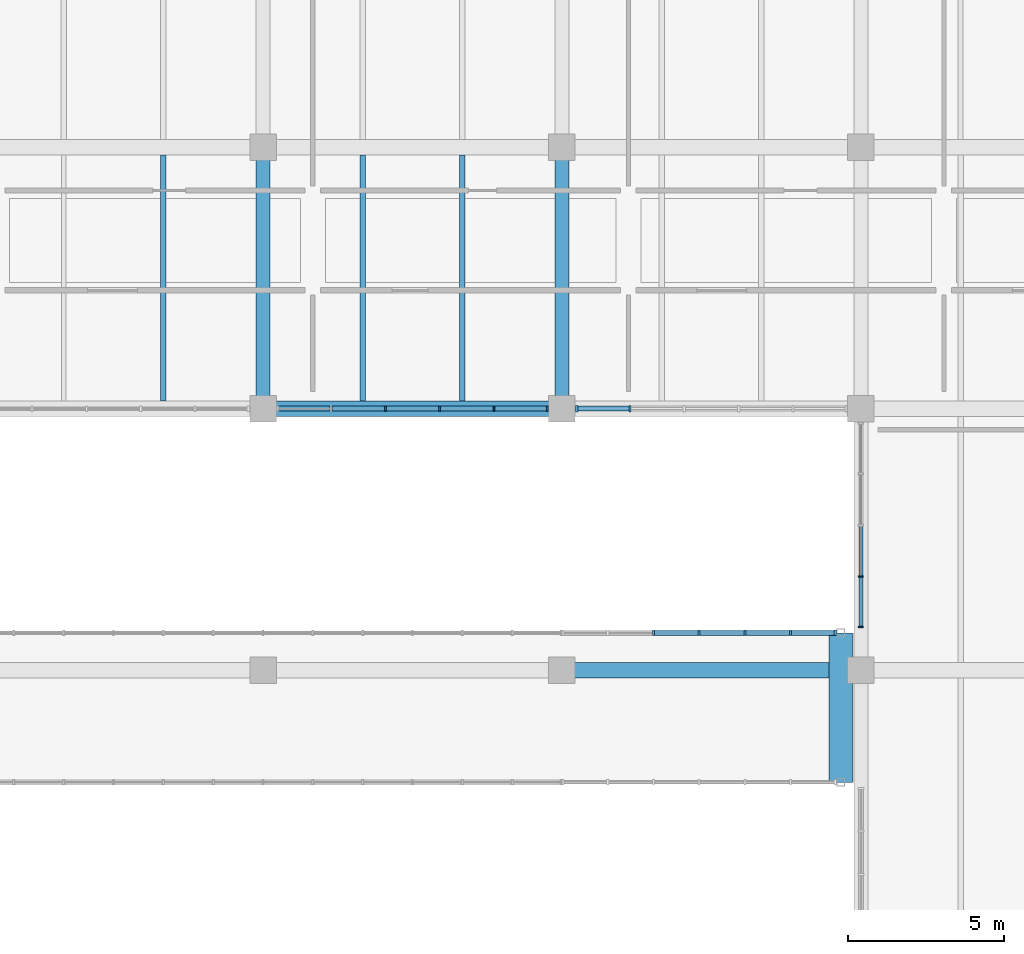
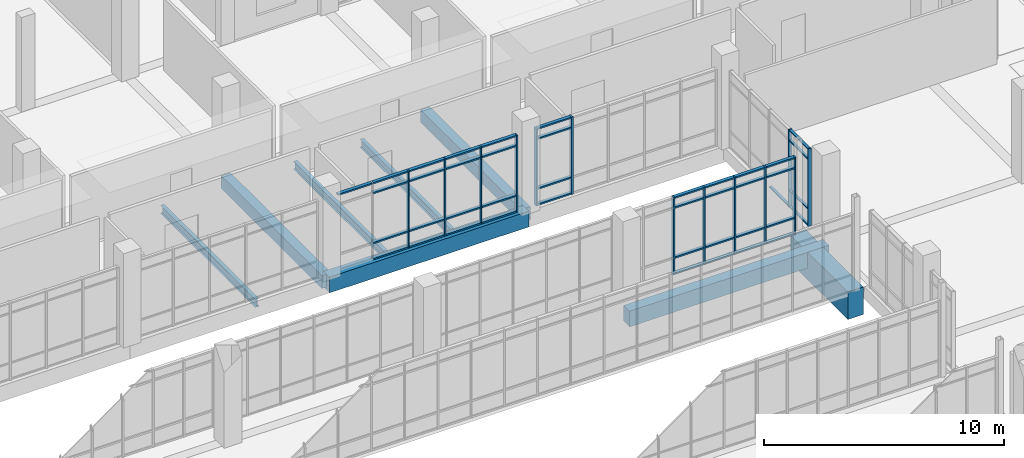
# One storey, part 60 of 152: 55 members, 8 beams, 4 elements without a shape of their own.
"""IFC4 building model written with IfcOpenShell, lengths in metres."""

from ifc_helpers import new_model, si_unit, direction, frame, origin, origin_2d, place, context, subcontext, project, spatial, rectangle, i_section, extrude, material, material_profile, profile_set, type_object, element, aggregate, save


model = new_model("IFC4")

# Units and contexts
model_context = context("Model", 3, precision=1e-05, world=origin(), true_north=direction((0.0, 1.0)))
body_context = subcontext(model_context, "Body", "Model", "MODEL_VIEW")
ifc_project = project(units=[si_unit("LENGTHUNIT", "METRE"), si_unit("AREAUNIT", "SQUARE_METRE"), si_unit("VOLUMEUNIT", "CUBIC_METRE"), si_unit("PLANEANGLEUNIT", "RADIAN"), si_unit("MASSUNIT", "GRAM", prefix="KILO")], contexts=[model_context])

# Site, building, storey
site_placement = place(None, origin())
site = spatial("IfcSite", under=ifc_project, at=site_placement, CompositionType="ELEMENT")
building_placement = place(site_placement, origin())
building = spatial("IfcBuilding", under=site, at=building_placement, Name="Oolite Switchyard Hospital", CompositionType="ELEMENT")
storey_placement = place(building_placement, frame((0.0, 0.0, 5.10009765625)))
storey = spatial("IfcBuildingStorey", under=building, at=storey_placement, Name="L01", CompositionType="ELEMENT", Elevation=5.10009765625)

# Beams
ifc_material_1 = material(Name="Concrete C40/50", Category="concrete")
ifc_material_profile_1 = material_profile(ifc_material_1, rectangle(XDim=0.449951171875, YDim=0.64990234375, at=origin_2d()), Name="RCB450X650")
ifc_profile_set_1 = profile_set([ifc_material_profile_1], Name="Concrete C40/50")
beam_type_1 = type_object("IfcBeamType", Name="BM-RC450X650", PredefinedType="BEAM", material=ifc_profile_set_1)
for number, where, z_axis, x_axis, name in (
    (1, (163.199951171875, 58.800048828125, -0.3251953125), (0.0, 1.0, 0.0), (-1.0, 0.0, 0.0), "L01 Y-Girder 490"),
    (2, (172.800048828125, 58.800048828125, -0.3251953125), (0.0, 1.0, 0.0), (-1.0, 0.0, 0.0), "L01 Y-Girder 501"),
):
    element("IfcBeam", number, at=place(storey_placement, frame(where, z_axis=z_axis, x_axis=x_axis)), inside=storey, type_object=beam_type_1, Name=name, PredefinedType="BEAM", context=body_context, shape_type="SweptSolid", body=[
        extrude(rectangle(XDim=0.449951171875, YDim=0.64990234375, at=origin_2d()), origin(), (0.0, 0.0, 1.0), 8.39990234375),
    ])
ifc_material_profile_2 = material_profile(ifc_material_1, rectangle(XDim=0.5, YDim=0.800048828125, at=origin_2d()), Name="RCB500X800")
ifc_profile_set_2 = profile_set([ifc_material_profile_2], Name="Concrete C40/50")
beam_type_2 = type_object("IfcBeamType", Name="BM-RC500X800", PredefinedType="BEAM", material=ifc_profile_set_2)
beam_1_placement = place(storey_placement, frame((172.800048828125, 50.39990234375, -0.400146484375), z_axis=(1.0, 0.0, 0.0), x_axis=(0.0, 1.0, 0.0)))
element("IfcBeam", 3, at=beam_1_placement, inside=storey, type_object=beam_type_2, Name="L01 X-Girder 108", PredefinedType="BEAM", context=body_context, shape_type="SweptSolid", body=[
    extrude(rectangle(XDim=0.5, YDim=0.800048828125, at=origin_2d()), origin(), (0.0, 0.0, 1.0), 9.599853515625),
])
beam_2_placement = place(storey_placement, frame((163.199951171875, 58.800048828125, -0.400146484375), z_axis=(1.0, 0.0, 0.0), x_axis=(0.0, 1.0, 0.0)))
element("IfcBeam", 4, at=beam_2_placement, inside=storey, type_object=beam_type_2, Name="L01 X-Girder 123", PredefinedType="BEAM", context=body_context, shape_type="SweptSolid", body=[
    extrude(rectangle(XDim=0.5, YDim=0.800048828125, at=origin_2d()), origin(), (0.0, 0.0, 1.0), 9.60009765625),
])
ifc_material_profile_3 = material_profile(ifc_material_1, rectangle(XDim=0.75, YDim=1.39990234375, at=origin_2d()), Name="RCT750X1400")
ifc_profile_set_3 = profile_set([ifc_material_profile_3], Name="Concrete C40/50")
beam_type_3 = type_object("IfcBeamType", Name="BM-TR750X1400", PredefinedType="BEAM", material=ifc_profile_set_3)
beam_3_placement = place(storey_placement, frame((181.75, 46.800048828125, -0.7001953125), z_axis=(0.0, 1.0, 0.0), x_axis=(-1.0, 0.0, 0.0)))
element("IfcBeam", 5, at=beam_3_placement, inside=storey, type_object=beam_type_3, Name="L01 Y-Girder 510", PredefinedType="BEAM", context=body_context, shape_type="SweptSolid", body=[
    extrude(rectangle(XDim=0.75, YDim=1.39990234375, at=origin_2d()), origin(), (0.0, 0.0, 1.0), 4.800048828125),
])
ifc_material_2 = material(Name="Steel ASTM A992 Grade 50", Category="steel")
ifc_material_profile_4 = material_profile(ifc_material_2, i_section(OverallWidth=0.177978515625, OverallDepth=0.403076171875, WebThickness=0.008056640625, FlangeThickness=0.010986328125, at=origin_2d()), Name="W16X36")
ifc_profile_set_4 = profile_set([ifc_material_profile_4], Name="Steel ASTM A992 Grade 50")
beam_type_4 = type_object("IfcBeamType", Name="BM-W16X36", PredefinedType="JOIST", material=ifc_profile_set_4)
beam_4_placement = place(storey_placement, frame((169.60009765625, 59.050048828125, -0.47705078125), z_axis=(0.0, 1.0, 0.0), x_axis=(-1.0, 0.0, 0.0)))
element("IfcBeam", 6, at=beam_4_placement, inside=storey, type_object=beam_type_4, Name="L01 Secondary Steel Joist 897", PredefinedType="JOIST", context=body_context, shape_type="SweptSolid", body=[
    extrude(i_section(OverallWidth=0.177978515625, OverallDepth=0.403076171875, WebThickness=0.008056640625, FlangeThickness=0.010986328125, at=origin_2d()), origin(), (0.0, 0.0, 1.0), 7.89990234375),
])
ifc_material_profile_5 = material_profile(ifc_material_2, i_section(OverallWidth=0.179931640625, OverallDepth=0.4130859375, WebThickness=0.010009765625, FlangeThickness=0.01611328125, at=origin_2d()), Name="W16X50")
ifc_profile_set_5 = profile_set([ifc_material_profile_5], Name="Steel ASTM A992 Grade 50")
beam_type_5 = type_object("IfcBeamType", Name="BM-W16X50", PredefinedType="JOIST", material=ifc_profile_set_5)
for number, where, z_axis, x_axis, name in (
    (7, (160.0, 59.050048828125, -0.482177734375), (0.0, 1.0, 0.0), (-1.0, 0.0, 0.0), "L01 Secondary Steel Joist 877"),
    (8, (166.39990234375, 59.050048828125, -0.482177734375), (0.0, 1.0, 0.0), (-1.0, 0.0, 0.0), "L01 Secondary Steel Joist 896"),
):
    element("IfcBeam", number, at=place(storey_placement, frame(where, z_axis=z_axis, x_axis=x_axis)), inside=storey, type_object=beam_type_5, Name=name, PredefinedType="JOIST", context=body_context, shape_type="SweptSolid", body=[
        extrude(i_section(OverallWidth=0.179931640625, OverallDepth=0.4130859375, WebThickness=0.010009765625, FlangeThickness=0.01611328125, at=origin_2d()), origin(), (0.0, 0.0, 1.0), 7.89990234375),
    ])

# Curtain wall, members
ifc_material_3 = material(Name="Thermally broken aluminum frame with laminated impact glazing", Category="aluminium")
curtain_wall_type_1 = type_object("IfcCurtainWallType", Name="CW-UNIT-96X48", PredefinedType="USERDEFINED", material=ifc_material_3)
curtain_wall_1_placement = place(storey_placement, origin())
curtain_wall_1 = element("IfcCurtainWall", 9, at=curtain_wall_1_placement, inside=storey, type_object=curtain_wall_type_1, Name="L01 Unitised Curtain Wall 131", ObjectType="UNITISED", PredefinedType="USERDEFINED")
ifc_material_4 = material(Name="Aluminium 6063-T6", Category="aluminium")
ifc_material_profile_6 = material_profile(ifc_material_4, rectangle(XDim=0.159912109375, YDim=0.06005859375, at=origin_2d()), Name="CWM60X160")
ifc_profile_set_6 = profile_set([ifc_material_profile_6], Name="Aluminium 6063-T6")
member_type_1 = type_object("IfcMemberType", Name="CW-MUL-180", PredefinedType="MULLION", material=ifc_profile_set_6)
member_1_placement = place(storey_placement, frame((172.330078125, 58.800048828125, 0.0), z_axis=(0.0, 0.0, 1.0), x_axis=(0.0, -1.0, 0.0)))
member_1 = element("IfcMember", 10, at=member_1_placement, type_object=member_type_1, Name="CW-02 mullion 1", PredefinedType="MULLION", context=body_context, shape_type="SweptSolid", body=[
    extrude(rectangle(XDim=0.159912109375, YDim=0.06005859375, at=origin_2d()), origin(), (0.0, 0.0, 1.0), 3.93994140625),
])
member_2_placement = place(storey_placement, frame((170.615966796875, 58.800048828125, 0.0), z_axis=(0.0, 0.0, 1.0), x_axis=(0.0, -1.0, 0.0)))
member_2 = element("IfcMember", 11, at=member_2_placement, type_object=member_type_1, Name="CW-02 mullion 2", PredefinedType="MULLION", context=body_context, shape_type="SweptSolid", body=[
    extrude(rectangle(XDim=0.159912109375, YDim=0.06005859375, at=origin_2d()), origin(), (0.0, 0.0, 1.0), 3.93994140625),
])
member_3_placement = place(storey_placement, frame((168.8720703125, 58.800048828125, 0.0), z_axis=(0.0, 0.0, 1.0), x_axis=(0.0, -1.0, 0.0)))
member_3 = element("IfcMember", 12, at=member_3_placement, type_object=member_type_1, Name="CW-02 mullion 3", PredefinedType="MULLION", context=body_context, shape_type="SweptSolid", body=[
    extrude(rectangle(XDim=0.159912109375, YDim=0.06005859375, at=origin_2d()), origin(), (0.0, 0.0, 1.0), 3.93994140625),
])
member_4_placement = place(storey_placement, frame((167.1279296875, 58.800048828125, 0.0), z_axis=(0.0, 0.0, 1.0), x_axis=(0.0, -1.0, 0.0)))
member_4 = element("IfcMember", 13, at=member_4_placement, type_object=member_type_1, Name="CW-02 mullion 4", PredefinedType="MULLION", context=body_context, shape_type="SweptSolid", body=[
    extrude(rectangle(XDim=0.159912109375, YDim=0.06005859375, at=origin_2d()), origin(), (0.0, 0.0, 1.0), 3.93994140625),
])

curtain_wall_type_2 = type_object("IfcCurtainWallType", Name="CW-BRG-96X38", PredefinedType="USERDEFINED", material=ifc_material_3)
curtain_wall_2_placement = place(storey_placement, origin())
curtain_wall_2 = element("IfcCurtainWall", 14, at=curtain_wall_2_placement, inside=storey, type_object=curtain_wall_type_2, Name="L01 Unitised Curtain Wall 200", ObjectType="UNITISED", PredefinedType="USERDEFINED")
member_5_placement = place(storey_placement, frame((182.39990234375, 51.7900390625, 0.0), z_axis=(0.0, 0.0, 1.0), x_axis=(-1.0, 0.0, 0.0)))
member_5 = element("IfcMember", 15, at=member_5_placement, type_object=member_type_1, Name="CW-12 mullion 1", PredefinedType="MULLION", context=body_context, shape_type="SweptSolid", body=[
    extrude(rectangle(XDim=0.159912109375, YDim=0.06005859375, at=origin_2d()), origin(), (0.0, 0.0, 1.0), 3.93994140625),
])
member_6_placement = place(storey_placement, frame((182.39990234375, 53.409912109375, 0.0), z_axis=(0.0, 0.0, 1.0), x_axis=(-1.0, 0.0, 0.0)))
member_6 = element("IfcMember", 16, at=member_6_placement, type_object=member_type_1, Name="CW-12 mullion 2", PredefinedType="MULLION", context=body_context, shape_type="SweptSolid", body=[
    extrude(rectangle(XDim=0.159912109375, YDim=0.06005859375, at=origin_2d()), origin(), (0.0, 0.0, 1.0), 3.93994140625),
])

curtain_wall_3_placement = place(storey_placement, origin())
curtain_wall_3 = element("IfcCurtainWall", 17, at=curtain_wall_3_placement, inside=storey, type_object=curtain_wall_type_2, Name="L01 Unitised Curtain Wall 129", ObjectType="UNITISED", PredefinedType="USERDEFINED")
ifc_material_profile_7 = material_profile(ifc_material_4, rectangle(XDim=0.179931640625, YDim=0.070068359375, at=origin_2d()), Name="CWM70X180")
ifc_profile_set_7 = profile_set([ifc_material_profile_7], Name="Aluminium 6063-T6")
member_type_2 = type_object("IfcMemberType", Name="CW-MUL-220", PredefinedType="MULLION", material=ifc_profile_set_7)
member_7_placement = place(storey_placement, frame((175.736083984375, 51.60009765625, 0.0), z_axis=(0.0, 0.0, 1.0), x_axis=(0.0, 1.0, 0.0)))
member_7 = element("IfcMember", 18, at=member_7_placement, type_object=member_type_2, Name="CW-12 mullion 3", PredefinedType="MULLION", context=body_context, shape_type="SweptSolid", body=[
    extrude(rectangle(XDim=0.179931640625, YDim=0.070068359375, at=origin_2d()), origin(), (0.0, 0.0, 1.0), 3.93994140625),
])
member_8_placement = place(storey_placement, frame((177.2041015625, 51.60009765625, 0.0), z_axis=(0.0, 0.0, 1.0), x_axis=(0.0, 1.0, 0.0)))
member_8 = element("IfcMember", 19, at=member_8_placement, type_object=member_type_2, Name="CW-12 mullion 4", PredefinedType="MULLION", context=body_context, shape_type="SweptSolid", body=[
    extrude(rectangle(XDim=0.179931640625, YDim=0.070068359375, at=origin_2d()), origin(), (0.0, 0.0, 1.0), 3.93994140625),
])
member_9_placement = place(storey_placement, frame((178.672119140625, 51.60009765625, 0.0), z_axis=(0.0, 0.0, 1.0), x_axis=(0.0, 1.0, 0.0)))
member_9 = element("IfcMember", 20, at=member_9_placement, type_object=member_type_2, Name="CW-12 mullion 5", PredefinedType="MULLION", context=body_context, shape_type="SweptSolid", body=[
    extrude(rectangle(XDim=0.179931640625, YDim=0.070068359375, at=origin_2d()), origin(), (0.0, 0.0, 1.0), 3.93994140625),
])
member_10_placement = place(storey_placement, frame((180.139892578125, 51.60009765625, 0.0), z_axis=(0.0, 0.0, 1.0), x_axis=(0.0, 1.0, 0.0)))
member_10 = element("IfcMember", 21, at=member_10_placement, type_object=member_type_2, Name="CW-12 mullion 6", PredefinedType="MULLION", context=body_context, shape_type="SweptSolid", body=[
    extrude(rectangle(XDim=0.179931640625, YDim=0.070068359375, at=origin_2d()), origin(), (0.0, 0.0, 1.0), 3.93994140625),
])
member_11_placement = place(storey_placement, frame((181.572998046875, 51.60009765625, 0.0), z_axis=(0.0, 0.0, 1.0), x_axis=(0.0, 1.0, 0.0)))
member_11 = element("IfcMember", 22, at=member_11_placement, type_object=member_type_2, Name="CW-12 mullion 7", PredefinedType="MULLION", context=body_context, shape_type="SweptSolid", body=[
    extrude(rectangle(XDim=0.179931640625, YDim=0.070068359375, at=origin_2d()), origin(), (0.0, 0.0, 1.0), 3.93994140625),
])

curtain_wall_4_placement = place(storey_placement, origin())
curtain_wall_4 = element("IfcCurtainWall", 23, at=curtain_wall_4_placement, inside=storey, type_object=curtain_wall_type_1, Name="L01 Unitised Curtain Wall 133", ObjectType="UNITISED", PredefinedType="USERDEFINED")
ifc_material_profile_8 = material_profile(ifc_material_4, rectangle(XDim=0.199951171875, YDim=0.074951171875, at=origin_2d()), Name="CWM75X200")
ifc_profile_set_8 = profile_set([ifc_material_profile_8], Name="Aluminium 6063-T6")
member_type_3 = type_object("IfcMemberType", Name="CW-MUL-260", PredefinedType="MULLION", material=ifc_profile_set_8)
member_12_placement = place(storey_placement, frame((174.98388671875, 58.800048828125, 0.0), z_axis=(0.0, 0.0, 1.0), x_axis=(0.0, -1.0, 0.0)))
member_12 = element("IfcMember", 24, at=member_12_placement, type_object=member_type_3, Name="CW-02 mullion 5", PredefinedType="MULLION", context=body_context, shape_type="SweptSolid", body=[
    extrude(rectangle(XDim=0.199951171875, YDim=0.074951171875, at=origin_2d()), origin(), (0.0, 0.0, 1.0), 3.93994140625),
])
member_13_placement = place(storey_placement, frame((173.277587890625, 58.800048828125, 0.0), z_axis=(0.0, 0.0, 1.0), x_axis=(0.0, -1.0, 0.0)))
member_13 = element("IfcMember", 25, at=member_13_placement, type_object=member_type_3, Name="CW-02 mullion 6", PredefinedType="MULLION", context=body_context, shape_type="SweptSolid", body=[
    extrude(rectangle(XDim=0.199951171875, YDim=0.074951171875, at=origin_2d()), origin(), (0.0, 0.0, 1.0), 3.93994140625),
])

# Member
ifc_material_profile_9 = material_profile(ifc_material_4, rectangle(XDim=0.1201171875, YDim=0.06005859375, at=origin_2d()), Name="CWT60X120")
ifc_profile_set_9 = profile_set([ifc_material_profile_9], Name="Aluminium 6063-T6")
member_type_4 = type_object("IfcMemberType", Name="CW-TRN-150", PredefinedType="USERDEFINED", material=ifc_profile_set_9)
member_14_placement = place(storey_placement, frame((182.39990234375, 51.820068359375, 0.02978515625), z_axis=(0.0, 1.0, 0.0), x_axis=(-1.0, 0.0, 0.0)))
member_14 = element("IfcMember", 26, at=member_14_placement, type_object=member_type_4, Name="CW-12 transom 1.1", ObjectType="TRANSOM", PredefinedType="USERDEFINED", context=body_context, shape_type="SweptSolid", body=[
    extrude(rectangle(XDim=0.1201171875, YDim=0.06005859375, at=origin_2d()), origin(), (0.0, 0.0, 1.0), 1.559814453125),
])

member_15_placement = place(storey_placement, frame((182.39990234375, 51.820068359375, 0.849853515625), z_axis=(0.0, 1.0, 0.0), x_axis=(-1.0, 0.0, 0.0)))
member_15 = element("IfcMember", 27, at=member_15_placement, type_object=member_type_4, Name="CW-12 transom 1.2", ObjectType="TRANSOM", PredefinedType="USERDEFINED", context=body_context, shape_type="SweptSolid", body=[
    extrude(rectangle(XDim=0.1201171875, YDim=0.06005859375, at=origin_2d()), origin(), (0.0, 0.0, 1.0), 1.559814453125),
])

member_16_placement = place(storey_placement, frame((182.39990234375, 51.820068359375, 3.389892578125), z_axis=(0.0, 1.0, 0.0), x_axis=(-1.0, 0.0, 0.0)))
member_16 = element("IfcMember", 28, at=member_16_placement, type_object=member_type_4, Name="CW-12 transom 1.3", ObjectType="TRANSOM", PredefinedType="USERDEFINED", context=body_context, shape_type="SweptSolid", body=[
    extrude(rectangle(XDim=0.1201171875, YDim=0.06005859375, at=origin_2d()), origin(), (0.0, 0.0, 1.0), 1.559814453125),
])

member_17_placement = place(storey_placement, frame((182.39990234375, 51.820068359375, 3.909912109375), z_axis=(0.0, 1.0, 0.0), x_axis=(-1.0, 0.0, 0.0)))
member_17 = element("IfcMember", 29, at=member_17_placement, type_object=member_type_4, Name="CW-12 transom 1.4", ObjectType="TRANSOM", PredefinedType="USERDEFINED", context=body_context, shape_type="SweptSolid", body=[
    extrude(rectangle(XDim=0.1201171875, YDim=0.06005859375, at=origin_2d()), origin(), (0.0, 0.0, 1.0), 1.559814453125),
])

member_18_placement = place(storey_placement, frame((182.39990234375, 53.43994140625, 0.02978515625), z_axis=(0.0, 1.0, 0.0), x_axis=(-1.0, 0.0, 0.0)))
member_18 = element("IfcMember", 30, at=member_18_placement, type_object=member_type_4, Name="CW-12 transom 2.1", ObjectType="TRANSOM", PredefinedType="USERDEFINED", context=body_context, shape_type="SweptSolid", body=[
    extrude(rectangle(XDim=0.1201171875, YDim=0.06005859375, at=origin_2d()), origin(), (0.0, 0.0, 1.0), 1.590087890625),
])

aggregate(curtain_wall_2, [member_5, member_6, member_14, member_15, member_16, member_17, member_18])

ifc_material_profile_10 = material_profile(ifc_material_4, rectangle(XDim=0.159912109375, YDim=0.074951171875, at=origin_2d()), Name="CWT75X160")
ifc_profile_set_10 = profile_set([ifc_material_profile_10], Name="Aluminium 6063-T6")
member_type_5 = type_object("IfcMemberType", Name="CW-TRN-180", PredefinedType="USERDEFINED", material=ifc_profile_set_10)
member_19_placement = place(storey_placement, frame((175.77099609375, 51.60009765625, 0.037353515625), z_axis=(1.0, 0.0, 0.0), x_axis=(0.0, 1.0, 0.0)))
member_19 = element("IfcMember", 31, at=member_19_placement, type_object=member_type_5, Name="CW-12 transom 3.1", ObjectType="TRANSOM", PredefinedType="USERDEFINED", context=body_context, shape_type="SweptSolid", body=[
    extrude(rectangle(XDim=0.159912109375, YDim=0.074951171875, at=origin_2d()), origin(), (0.0, 0.0, 1.0), 1.39794921875),
])

member_20_placement = place(storey_placement, frame((175.77099609375, 51.60009765625, 0.849853515625), z_axis=(1.0, 0.0, 0.0), x_axis=(0.0, 1.0, 0.0)))
member_20 = element("IfcMember", 32, at=member_20_placement, type_object=member_type_5, Name="CW-12 transom 3.2", ObjectType="TRANSOM", PredefinedType="USERDEFINED", context=body_context, shape_type="SweptSolid", body=[
    extrude(rectangle(XDim=0.159912109375, YDim=0.074951171875, at=origin_2d()), origin(), (0.0, 0.0, 1.0), 1.39794921875),
])

member_21_placement = place(storey_placement, frame((175.77099609375, 51.60009765625, 3.389892578125), z_axis=(1.0, 0.0, 0.0), x_axis=(0.0, 1.0, 0.0)))
member_21 = element("IfcMember", 33, at=member_21_placement, type_object=member_type_5, Name="CW-12 transom 3.3", ObjectType="TRANSOM", PredefinedType="USERDEFINED", context=body_context, shape_type="SweptSolid", body=[
    extrude(rectangle(XDim=0.159912109375, YDim=0.074951171875, at=origin_2d()), origin(), (0.0, 0.0, 1.0), 1.39794921875),
])

member_22_placement = place(storey_placement, frame((175.77099609375, 51.60009765625, 3.90234375), z_axis=(1.0, 0.0, 0.0), x_axis=(0.0, 1.0, 0.0)))
member_22 = element("IfcMember", 34, at=member_22_placement, type_object=member_type_5, Name="CW-12 transom 3.4", ObjectType="TRANSOM", PredefinedType="USERDEFINED", context=body_context, shape_type="SweptSolid", body=[
    extrude(rectangle(XDim=0.159912109375, YDim=0.074951171875, at=origin_2d()), origin(), (0.0, 0.0, 1.0), 1.39794921875),
])

member_23_placement = place(storey_placement, frame((177.239013671875, 51.60009765625, 0.037353515625), z_axis=(1.0, 0.0, 0.0), x_axis=(0.0, 1.0, 0.0)))
member_23 = element("IfcMember", 35, at=member_23_placement, type_object=member_type_5, Name="CW-12 transom 4.1", ObjectType="TRANSOM", PredefinedType="USERDEFINED", context=body_context, shape_type="SweptSolid", body=[
    extrude(rectangle(XDim=0.159912109375, YDim=0.074951171875, at=origin_2d()), origin(), (0.0, 0.0, 1.0), 1.39794921875),
])

member_24_placement = place(storey_placement, frame((177.239013671875, 51.60009765625, 0.849853515625), z_axis=(1.0, 0.0, 0.0), x_axis=(0.0, 1.0, 0.0)))
member_24 = element("IfcMember", 36, at=member_24_placement, type_object=member_type_5, Name="CW-12 transom 4.2", ObjectType="TRANSOM", PredefinedType="USERDEFINED", context=body_context, shape_type="SweptSolid", body=[
    extrude(rectangle(XDim=0.159912109375, YDim=0.074951171875, at=origin_2d()), origin(), (0.0, 0.0, 1.0), 1.39794921875),
])

member_25_placement = place(storey_placement, frame((177.239013671875, 51.60009765625, 3.389892578125), z_axis=(1.0, 0.0, 0.0), x_axis=(0.0, 1.0, 0.0)))
member_25 = element("IfcMember", 37, at=member_25_placement, type_object=member_type_5, Name="CW-12 transom 4.3", ObjectType="TRANSOM", PredefinedType="USERDEFINED", context=body_context, shape_type="SweptSolid", body=[
    extrude(rectangle(XDim=0.159912109375, YDim=0.074951171875, at=origin_2d()), origin(), (0.0, 0.0, 1.0), 1.39794921875),
])

member_26_placement = place(storey_placement, frame((177.239013671875, 51.60009765625, 3.90234375), z_axis=(1.0, 0.0, 0.0), x_axis=(0.0, 1.0, 0.0)))
member_26 = element("IfcMember", 38, at=member_26_placement, type_object=member_type_5, Name="CW-12 transom 4.4", ObjectType="TRANSOM", PredefinedType="USERDEFINED", context=body_context, shape_type="SweptSolid", body=[
    extrude(rectangle(XDim=0.159912109375, YDim=0.074951171875, at=origin_2d()), origin(), (0.0, 0.0, 1.0), 1.39794921875),
])

member_27_placement = place(storey_placement, frame((178.70703125, 51.60009765625, 0.037353515625), z_axis=(1.0, 0.0, 0.0), x_axis=(0.0, 1.0, 0.0)))
member_27 = element("IfcMember", 39, at=member_27_placement, type_object=member_type_5, Name="CW-12 transom 5.1", ObjectType="TRANSOM", PredefinedType="USERDEFINED", context=body_context, shape_type="SweptSolid", body=[
    extrude(rectangle(XDim=0.159912109375, YDim=0.074951171875, at=origin_2d()), origin(), (0.0, 0.0, 1.0), 1.39794921875),
])

member_28_placement = place(storey_placement, frame((178.70703125, 51.60009765625, 0.849853515625), z_axis=(1.0, 0.0, 0.0), x_axis=(0.0, 1.0, 0.0)))
member_28 = element("IfcMember", 40, at=member_28_placement, type_object=member_type_5, Name="CW-12 transom 5.2", ObjectType="TRANSOM", PredefinedType="USERDEFINED", context=body_context, shape_type="SweptSolid", body=[
    extrude(rectangle(XDim=0.159912109375, YDim=0.074951171875, at=origin_2d()), origin(), (0.0, 0.0, 1.0), 1.39794921875),
])

member_29_placement = place(storey_placement, frame((178.70703125, 51.60009765625, 3.389892578125), z_axis=(1.0, 0.0, 0.0), x_axis=(0.0, 1.0, 0.0)))
member_29 = element("IfcMember", 41, at=member_29_placement, type_object=member_type_5, Name="CW-12 transom 5.3", ObjectType="TRANSOM", PredefinedType="USERDEFINED", context=body_context, shape_type="SweptSolid", body=[
    extrude(rectangle(XDim=0.159912109375, YDim=0.074951171875, at=origin_2d()), origin(), (0.0, 0.0, 1.0), 1.39794921875),
])

member_30_placement = place(storey_placement, frame((178.70703125, 51.60009765625, 3.90234375), z_axis=(1.0, 0.0, 0.0), x_axis=(0.0, 1.0, 0.0)))
member_30 = element("IfcMember", 42, at=member_30_placement, type_object=member_type_5, Name="CW-12 transom 5.4", ObjectType="TRANSOM", PredefinedType="USERDEFINED", context=body_context, shape_type="SweptSolid", body=[
    extrude(rectangle(XDim=0.159912109375, YDim=0.074951171875, at=origin_2d()), origin(), (0.0, 0.0, 1.0), 1.39794921875),
])

member_31_placement = place(storey_placement, frame((180.175048828125, 51.60009765625, 0.037353515625), z_axis=(1.0, 0.0, 0.0), x_axis=(0.0, 1.0, 0.0)))
member_31 = element("IfcMember", 43, at=member_31_placement, type_object=member_type_5, Name="CW-12 transom 6.1", ObjectType="TRANSOM", PredefinedType="USERDEFINED", context=body_context, shape_type="SweptSolid", body=[
    extrude(rectangle(XDim=0.159912109375, YDim=0.074951171875, at=origin_2d()), origin(), (0.0, 0.0, 1.0), 1.363037109375),
])

member_32_placement = place(storey_placement, frame((180.175048828125, 51.60009765625, 0.849853515625), z_axis=(1.0, 0.0, 0.0), x_axis=(0.0, 1.0, 0.0)))
member_32 = element("IfcMember", 44, at=member_32_placement, type_object=member_type_5, Name="CW-12 transom 6.2", ObjectType="TRANSOM", PredefinedType="USERDEFINED", context=body_context, shape_type="SweptSolid", body=[
    extrude(rectangle(XDim=0.159912109375, YDim=0.074951171875, at=origin_2d()), origin(), (0.0, 0.0, 1.0), 1.363037109375),
])

member_33_placement = place(storey_placement, frame((180.175048828125, 51.60009765625, 3.389892578125), z_axis=(1.0, 0.0, 0.0), x_axis=(0.0, 1.0, 0.0)))
member_33 = element("IfcMember", 45, at=member_33_placement, type_object=member_type_5, Name="CW-12 transom 6.3", ObjectType="TRANSOM", PredefinedType="USERDEFINED", context=body_context, shape_type="SweptSolid", body=[
    extrude(rectangle(XDim=0.159912109375, YDim=0.074951171875, at=origin_2d()), origin(), (0.0, 0.0, 1.0), 1.363037109375),
])

member_34_placement = place(storey_placement, frame((180.175048828125, 51.60009765625, 3.90234375), z_axis=(1.0, 0.0, 0.0), x_axis=(0.0, 1.0, 0.0)))
member_34 = element("IfcMember", 46, at=member_34_placement, type_object=member_type_5, Name="CW-12 transom 6.4", ObjectType="TRANSOM", PredefinedType="USERDEFINED", context=body_context, shape_type="SweptSolid", body=[
    extrude(rectangle(XDim=0.159912109375, YDim=0.074951171875, at=origin_2d()), origin(), (0.0, 0.0, 1.0), 1.363037109375),
])

aggregate(curtain_wall_3, [member_7, member_8, member_9, member_10, member_11, member_19, member_20, member_21, member_22, member_23, member_24, member_25, member_26, member_27, member_28, member_29, member_30, member_31, member_32, member_33, member_34])

member_35_placement = place(storey_placement, frame((172.300048828125, 58.800048828125, 0.037353515625), z_axis=(-1.0, 0.0, 0.0), x_axis=(0.0, -1.0, 0.0)))
member_35 = element("IfcMember", 47, at=member_35_placement, type_object=member_type_5, Name="CW-02 transom 1.1", ObjectType="TRANSOM", PredefinedType="USERDEFINED", context=body_context, shape_type="SweptSolid", body=[
    extrude(rectangle(XDim=0.159912109375, YDim=0.074951171875, at=origin_2d()), origin(), (0.0, 0.0, 1.0), 1.654052734375),
])

member_36_placement = place(storey_placement, frame((172.300048828125, 58.800048828125, 0.849853515625), z_axis=(-1.0, 0.0, 0.0), x_axis=(0.0, -1.0, 0.0)))
member_36 = element("IfcMember", 48, at=member_36_placement, type_object=member_type_5, Name="CW-02 transom 1.2", ObjectType="TRANSOM", PredefinedType="USERDEFINED", context=body_context, shape_type="SweptSolid", body=[
    extrude(rectangle(XDim=0.159912109375, YDim=0.074951171875, at=origin_2d()), origin(), (0.0, 0.0, 1.0), 1.654052734375),
])

member_37_placement = place(storey_placement, frame((172.300048828125, 58.800048828125, 3.389892578125), z_axis=(-1.0, 0.0, 0.0), x_axis=(0.0, -1.0, 0.0)))
member_37 = element("IfcMember", 49, at=member_37_placement, type_object=member_type_5, Name="CW-02 transom 1.3", ObjectType="TRANSOM", PredefinedType="USERDEFINED", context=body_context, shape_type="SweptSolid", body=[
    extrude(rectangle(XDim=0.159912109375, YDim=0.074951171875, at=origin_2d()), origin(), (0.0, 0.0, 1.0), 1.654052734375),
])

member_38_placement = place(storey_placement, frame((172.300048828125, 58.800048828125, 3.90234375), z_axis=(-1.0, 0.0, 0.0), x_axis=(0.0, -1.0, 0.0)))
member_38 = element("IfcMember", 50, at=member_38_placement, type_object=member_type_5, Name="CW-02 transom 1.4", ObjectType="TRANSOM", PredefinedType="USERDEFINED", context=body_context, shape_type="SweptSolid", body=[
    extrude(rectangle(XDim=0.159912109375, YDim=0.074951171875, at=origin_2d()), origin(), (0.0, 0.0, 1.0), 1.654052734375),
])

member_39_placement = place(storey_placement, frame((170.5859375, 58.800048828125, 0.037353515625), z_axis=(-1.0, 0.0, 0.0), x_axis=(0.0, -1.0, 0.0)))
member_39 = element("IfcMember", 51, at=member_39_placement, type_object=member_type_5, Name="CW-02 transom 2.1", ObjectType="TRANSOM", PredefinedType="USERDEFINED", context=body_context, shape_type="SweptSolid", body=[
    extrude(rectangle(XDim=0.159912109375, YDim=0.074951171875, at=origin_2d()), origin(), (0.0, 0.0, 1.0), 1.683837890625),
])

member_40_placement = place(storey_placement, frame((170.5859375, 58.800048828125, 0.849853515625), z_axis=(-1.0, 0.0, 0.0), x_axis=(0.0, -1.0, 0.0)))
member_40 = element("IfcMember", 52, at=member_40_placement, type_object=member_type_5, Name="CW-02 transom 2.2", ObjectType="TRANSOM", PredefinedType="USERDEFINED", context=body_context, shape_type="SweptSolid", body=[
    extrude(rectangle(XDim=0.159912109375, YDim=0.074951171875, at=origin_2d()), origin(), (0.0, 0.0, 1.0), 1.683837890625),
])

member_41_placement = place(storey_placement, frame((170.5859375, 58.800048828125, 3.389892578125), z_axis=(-1.0, 0.0, 0.0), x_axis=(0.0, -1.0, 0.0)))
member_41 = element("IfcMember", 53, at=member_41_placement, type_object=member_type_5, Name="CW-02 transom 2.3", ObjectType="TRANSOM", PredefinedType="USERDEFINED", context=body_context, shape_type="SweptSolid", body=[
    extrude(rectangle(XDim=0.159912109375, YDim=0.074951171875, at=origin_2d()), origin(), (0.0, 0.0, 1.0), 1.683837890625),
])

member_42_placement = place(storey_placement, frame((170.5859375, 58.800048828125, 3.90234375), z_axis=(-1.0, 0.0, 0.0), x_axis=(0.0, -1.0, 0.0)))
member_42 = element("IfcMember", 54, at=member_42_placement, type_object=member_type_5, Name="CW-02 transom 2.4", ObjectType="TRANSOM", PredefinedType="USERDEFINED", context=body_context, shape_type="SweptSolid", body=[
    extrude(rectangle(XDim=0.159912109375, YDim=0.074951171875, at=origin_2d()), origin(), (0.0, 0.0, 1.0), 1.683837890625),
])

member_43_placement = place(storey_placement, frame((168.842041015625, 58.800048828125, 0.037353515625), z_axis=(-1.0, 0.0, 0.0), x_axis=(0.0, -1.0, 0.0)))
member_43 = element("IfcMember", 55, at=member_43_placement, type_object=member_type_5, Name="CW-02 transom 3.1", ObjectType="TRANSOM", PredefinedType="USERDEFINED", context=body_context, shape_type="SweptSolid", body=[
    extrude(rectangle(XDim=0.159912109375, YDim=0.074951171875, at=origin_2d()), origin(), (0.0, 0.0, 1.0), 1.68408203125),
])

member_44_placement = place(storey_placement, frame((168.842041015625, 58.800048828125, 0.849853515625), z_axis=(-1.0, 0.0, 0.0), x_axis=(0.0, -1.0, 0.0)))
member_44 = element("IfcMember", 56, at=member_44_placement, type_object=member_type_5, Name="CW-02 transom 3.2", ObjectType="TRANSOM", PredefinedType="USERDEFINED", context=body_context, shape_type="SweptSolid", body=[
    extrude(rectangle(XDim=0.159912109375, YDim=0.074951171875, at=origin_2d()), origin(), (0.0, 0.0, 1.0), 1.68408203125),
])

member_45_placement = place(storey_placement, frame((168.842041015625, 58.800048828125, 3.389892578125), z_axis=(-1.0, 0.0, 0.0), x_axis=(0.0, -1.0, 0.0)))
member_45 = element("IfcMember", 57, at=member_45_placement, type_object=member_type_5, Name="CW-02 transom 3.3", ObjectType="TRANSOM", PredefinedType="USERDEFINED", context=body_context, shape_type="SweptSolid", body=[
    extrude(rectangle(XDim=0.159912109375, YDim=0.074951171875, at=origin_2d()), origin(), (0.0, 0.0, 1.0), 1.68408203125),
])

member_46_placement = place(storey_placement, frame((168.842041015625, 58.800048828125, 3.90234375), z_axis=(-1.0, 0.0, 0.0), x_axis=(0.0, -1.0, 0.0)))
member_46 = element("IfcMember", 58, at=member_46_placement, type_object=member_type_5, Name="CW-02 transom 3.4", ObjectType="TRANSOM", PredefinedType="USERDEFINED", context=body_context, shape_type="SweptSolid", body=[
    extrude(rectangle(XDim=0.159912109375, YDim=0.074951171875, at=origin_2d()), origin(), (0.0, 0.0, 1.0), 1.68408203125),
])

member_47_placement = place(storey_placement, frame((167.097900390625, 58.800048828125, 0.037353515625), z_axis=(-1.0, 0.0, 0.0), x_axis=(0.0, -1.0, 0.0)))
member_47 = element("IfcMember", 59, at=member_47_placement, type_object=member_type_5, Name="CW-02 transom 4.1", ObjectType="TRANSOM", PredefinedType="USERDEFINED", context=body_context, shape_type="SweptSolid", body=[
    extrude(rectangle(XDim=0.159912109375, YDim=0.074951171875, at=origin_2d()), origin(), (0.0, 0.0, 1.0), 1.683837890625),
])

member_48_placement = place(storey_placement, frame((167.097900390625, 58.800048828125, 0.849853515625), z_axis=(-1.0, 0.0, 0.0), x_axis=(0.0, -1.0, 0.0)))
member_48 = element("IfcMember", 60, at=member_48_placement, type_object=member_type_5, Name="CW-02 transom 4.2", ObjectType="TRANSOM", PredefinedType="USERDEFINED", context=body_context, shape_type="SweptSolid", body=[
    extrude(rectangle(XDim=0.159912109375, YDim=0.074951171875, at=origin_2d()), origin(), (0.0, 0.0, 1.0), 1.683837890625),
])

member_49_placement = place(storey_placement, frame((167.097900390625, 58.800048828125, 3.389892578125), z_axis=(-1.0, 0.0, 0.0), x_axis=(0.0, -1.0, 0.0)))
member_49 = element("IfcMember", 61, at=member_49_placement, type_object=member_type_5, Name="CW-02 transom 4.3", ObjectType="TRANSOM", PredefinedType="USERDEFINED", context=body_context, shape_type="SweptSolid", body=[
    extrude(rectangle(XDim=0.159912109375, YDim=0.074951171875, at=origin_2d()), origin(), (0.0, 0.0, 1.0), 1.683837890625),
])

member_50_placement = place(storey_placement, frame((167.097900390625, 58.800048828125, 3.90234375), z_axis=(-1.0, 0.0, 0.0), x_axis=(0.0, -1.0, 0.0)))
member_50 = element("IfcMember", 62, at=member_50_placement, type_object=member_type_5, Name="CW-02 transom 4.4", ObjectType="TRANSOM", PredefinedType="USERDEFINED", context=body_context, shape_type="SweptSolid", body=[
    extrude(rectangle(XDim=0.159912109375, YDim=0.074951171875, at=origin_2d()), origin(), (0.0, 0.0, 1.0), 1.683837890625),
])

member_51_placement = place(storey_placement, frame((165.35400390625, 58.800048828125, 3.90234375), z_axis=(-1.0, 0.0, 0.0), x_axis=(0.0, -1.0, 0.0)))
member_51 = element("IfcMember", 63, at=member_51_placement, type_object=member_type_5, Name="CW-02 transom 5.4", ObjectType="TRANSOM", PredefinedType="USERDEFINED", context=body_context, shape_type="SweptSolid", body=[
    extrude(rectangle(XDim=0.159912109375, YDim=0.074951171875, at=origin_2d()), origin(), (0.0, 0.0, 1.0), 1.654052734375),
])

aggregate(curtain_wall_1, [member_1, member_2, member_3, member_4, member_35, member_36, member_37, member_38, member_39, member_40, member_41, member_42, member_43, member_44, member_45, member_46, member_47, member_48, member_49, member_50, member_51])

member_52_placement = place(storey_placement, frame((174.946533203125, 58.800048828125, 0.037353515625), z_axis=(-1.0, 0.0, 0.0), x_axis=(0.0, -1.0, 0.0)))
member_52 = element("IfcMember", 64, at=member_52_placement, type_object=member_type_5, Name="CW-02 transom 5.1", ObjectType="TRANSOM", PredefinedType="USERDEFINED", context=body_context, shape_type="SweptSolid", body=[
    extrude(rectangle(XDim=0.159912109375, YDim=0.074951171875, at=origin_2d()), origin(), (0.0, 0.0, 1.0), 1.631591796875),
])

member_53_placement = place(storey_placement, frame((174.946533203125, 58.800048828125, 0.849853515625), z_axis=(-1.0, 0.0, 0.0), x_axis=(0.0, -1.0, 0.0)))
member_53 = element("IfcMember", 65, at=member_53_placement, type_object=member_type_5, Name="CW-02 transom 5.2", ObjectType="TRANSOM", PredefinedType="USERDEFINED", context=body_context, shape_type="SweptSolid", body=[
    extrude(rectangle(XDim=0.159912109375, YDim=0.074951171875, at=origin_2d()), origin(), (0.0, 0.0, 1.0), 1.631591796875),
])

member_54_placement = place(storey_placement, frame((174.946533203125, 58.800048828125, 3.389892578125), z_axis=(-1.0, 0.0, 0.0), x_axis=(0.0, -1.0, 0.0)))
member_54 = element("IfcMember", 66, at=member_54_placement, type_object=member_type_5, Name="CW-02 transom 5.3", ObjectType="TRANSOM", PredefinedType="USERDEFINED", context=body_context, shape_type="SweptSolid", body=[
    extrude(rectangle(XDim=0.159912109375, YDim=0.074951171875, at=origin_2d()), origin(), (0.0, 0.0, 1.0), 1.631591796875),
])

member_55_placement = place(storey_placement, frame((174.946533203125, 58.800048828125, 3.90234375), z_axis=(-1.0, 0.0, 0.0), x_axis=(0.0, -1.0, 0.0)))
member_55 = element("IfcMember", 67, at=member_55_placement, type_object=member_type_5, Name="CW-02 transom 5.4", ObjectType="TRANSOM", PredefinedType="USERDEFINED", context=body_context, shape_type="SweptSolid", body=[
    extrude(rectangle(XDim=0.159912109375, YDim=0.074951171875, at=origin_2d()), origin(), (0.0, 0.0, 1.0), 1.631591796875),
])

aggregate(curtain_wall_4, [member_12, member_13, member_52, member_53, member_54, member_55])

save(model, "model.ifc")
